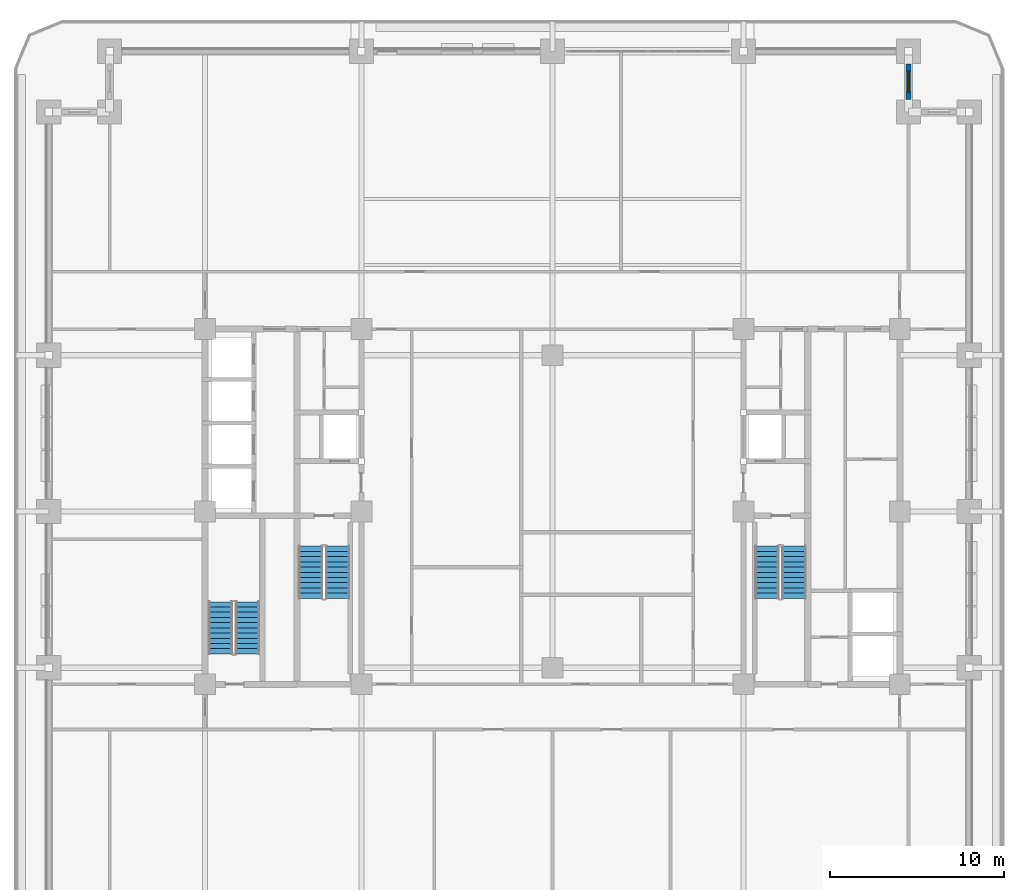
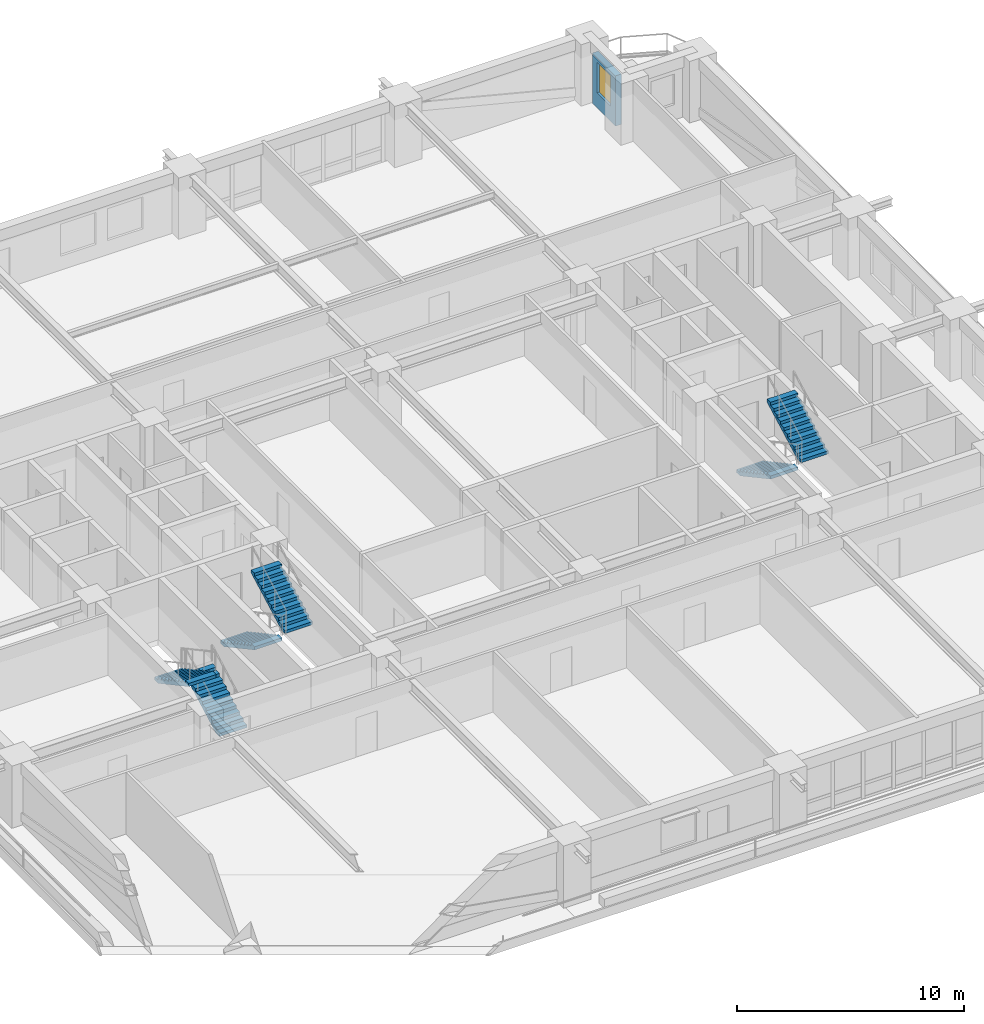
# One storey, part 12 of 20: 6 stair flights, 1 wall, 1 window, 1 opening, 3 elements without a shape of their own.
"""IFC4 building model written with IfcOpenShell, lengths in metres."""

from ifc_helpers import new_model, si_unit, direction, frame, frame_2d, origin, place, context, subcontext, project, spatial, polyline, rectangle, outline, extrude, material, layer, layer_set, type_object, element, fill, aggregate, save


model = new_model("IFC4")

# Units and contexts
model_context = context("Model", 3, precision=1e-05, world=origin(), true_north=direction((0.0, 1.0)))
body_context = subcontext(model_context, "Body", "Model", "MODEL_VIEW")
ifc_project = project(units=[si_unit("LENGTHUNIT", "METRE"), si_unit("AREAUNIT", "SQUARE_METRE"), si_unit("VOLUMEUNIT", "CUBIC_METRE"), si_unit("PLANEANGLEUNIT", "RADIAN"), si_unit("MASSUNIT", "GRAM", prefix="KILO")], contexts=[model_context])

# Site, building, storey
site_placement = place(None, origin())
site = spatial("IfcSite", under=ifc_project, at=site_placement, CompositionType="ELEMENT")
building_placement = place(site_placement, origin())
building = spatial("IfcBuilding", under=site, at=building_placement, Name="Zulmaris Gate Convention Tower", CompositionType="ELEMENT")
storey_placement = place(building_placement, frame((0.0, 0.0, 71.469970703125)))
storey = spatial("IfcBuildingStorey", under=building, at=storey_placement, Name="L17", CompositionType="ELEMENT", Elevation=71.469970703125)

# Wall, opening, window
ifc_material_1 = material(Name="Precast concrete C40/50", Category="concrete")
ifc_layer_1 = layer(ifc_material_1, 0.300048828125, Name="Precast concrete C40/50")
ifc_layer_set_1 = layer_set([ifc_layer_1], Name="Precast concrete C40/50")
wall_type = type_object("IfcWallType", Name="PRECAST-PIER-300", PredefinedType="STANDARD", material=ifc_layer_set_1)
wall_placement = place(storey_placement, frame((20.5, 23.72998046875, 0.0), z_axis=(0.0, 0.0, 1.0), x_axis=(0.0, 1.0, 0.0)))
wall = element("IfcWall", 1, at=wall_placement, inside=storey, type_object=wall_type, Name="EW-L17-NOTCH-NE2_0", PredefinedType="STANDARD", context=body_context, shape_type="SweptSolid", body=[
    extrude(rectangle(XDim=2.0400390625, YDim=0.300048828125, at=frame_2d((1.02001953125, 0.0))), origin(), (0.0, 0.0, 1.0), 2.7119140625),
])
opening_placement = place(wall_placement, frame((0.419921875, 0.0, 0.820068359375)))
opening = element("IfcOpeningElement", 2, at=opening_placement, cuts=wall, Name="Opening W-04", PredefinedType="OPENING", context=body_context, shape_type="SweptSolid", body=[
    extrude(rectangle(XDim=1.199951171875, YDim=1.64990234375, at=frame_2d((0.60009765625, 0.824951171875))), frame((0.0, 0.16015625, 0.0), z_axis=(0.0, -1.0, 0.0), x_axis=(1.0, 0.0, 0.0)), (0.0, 0.0, 1.0), 0.320068359375),
])
ifc_material_2 = material(Name="Low-E Laminated Double Glazing in Aluminium Frame", Category="aluminium")
window_type = type_object("IfcWindowType", Name="WIN-1200x2100", PartitioningType="SINGLE_PANEL", PredefinedType="WINDOW", material=ifc_material_2)
window_placement = place(opening_placement, origin())
window = element("IfcWindow", 3, at=window_placement, inside=storey, type_object=window_type, Name="WN-EW-L17-NOTCH-NE2_0", OverallHeight=1.64990234375, OverallWidth=1.199951171875, PartitioningType="SINGLE_PANEL", PredefinedType="WINDOW", context=body_context, shape_type="SweptSolid", body=[
    extrude(rectangle(XDim=1.199951171875, YDim=1.64990234375, at=frame_2d((0.60009765625, 0.824951171875))), frame((0.0, 0.030029296875, 0.0), z_axis=(0.0, -1.0, 0.0), x_axis=(1.0, 0.0, 0.0)), (0.0, 0.0, 1.0), 0.06005859375),
])
fill(opening, window)

# Stair, stair flights
ifc_material_3 = material(Name="Concrete C45/55", Category="concrete")
stair_type = type_object("IfcStairType", Name="ST-CORE-DOGLEG", PredefinedType="HALF_TURN_STAIR", material=ifc_material_3)
stair_1_placement = place(storey_placement, origin())
stair_1 = element("IfcStair", 4, at=stair_1_placement, inside=storey, type_object=stair_type, Name="L17 Core Exit Stair ST-1", PredefinedType="HALF_TURN_STAIR")
ifc_layer_2 = layer(ifc_material_3, 0.14990234375, Name="Concrete C45/55")
ifc_layer_set_2 = layer_set([ifc_layer_2], Name="Concrete C45/55")
stair_flight_type = type_object("IfcStairFlightType", Name="STF-RC150", PredefinedType="STRAIGHT", material=ifc_layer_set_2)
stair_flight_1_placement = place(storey_placement, frame((-13.919921875, -2.0, 0.0), z_axis=(0.0, 0.0, 1.0), x_axis=(0.0, -1.0, 0.0)))
stair_flight_1 = element("IfcStairFlight", 5, at=stair_flight_1_placement, type_object=stair_flight_type, Name="ST-1 flight 1", NumberOfRisers=11, NumberOfTreads=10, PredefinedType="STRAIGHT", RiserHeight=0.162272727, TreadLength=0.3, context=body_context, shape_type="SweptSolid", body=[
    extrude(outline(polyline([(0.0, 0.0), (0.0, 0.162353515625), (0.300048828125, 0.162353515625), (0.300048828125, 0.324462890625), (0.60009765625, 0.324462890625), (0.60009765625, 0.48681640625), (0.89990234375, 0.48681640625), (0.89990234375, 0.649169921875), (1.199951171875, 0.649169921875), (1.199951171875, 0.811279296875), (1.5, 0.811279296875), (1.5, 0.9736328125), (1.800048828125, 0.9736328125), (1.800048828125, 1.135986328125), (2.10009765625, 1.135986328125), (2.10009765625, 1.298095703125), (2.39990234375, 1.298095703125), (2.39990234375, 1.46044921875), (2.699951171875, 1.46044921875), (2.699951171875, 1.622802734375), (3.0, 1.622802734375), (3.0, 1.784912109375), (3.0, 1.452392578125), (0.315185546875, 0.0), (0.0, 0.0)])), frame((0.0, 0.699951171875, 0.0), z_axis=(0.0, -1.0, 0.0), x_axis=(1.0, 0.0, 0.0)), (0.0, 0.0, 1.0), 1.39990234375),
])
stair_flight_2_placement = place(storey_placement, frame((-12.360107421875, -5.0, 1.784912109375), z_axis=(0.0, 0.0, 1.0), x_axis=(0.0, 1.0, 0.0)))
stair_flight_2 = element("IfcStairFlight", 6, at=stair_flight_2_placement, type_object=stair_flight_type, Name="ST-1 flight 2", NumberOfRisers=11, NumberOfTreads=10, PredefinedType="STRAIGHT", RiserHeight=0.162272727, TreadLength=0.3, context=body_context, shape_type="SweptSolid", body=[
    extrude(outline(polyline([(0.0, 0.0), (0.0, 0.162353515625), (0.300048828125, 0.162353515625), (0.300048828125, 0.324462890625), (0.60009765625, 0.324462890625), (0.60009765625, 0.48681640625), (0.89990234375, 0.48681640625), (0.89990234375, 0.649169921875), (1.199951171875, 0.649169921875), (1.199951171875, 0.811279296875), (1.5, 0.811279296875), (1.5, 0.9736328125), (1.800048828125, 0.9736328125), (1.800048828125, 1.135986328125), (2.10009765625, 1.135986328125), (2.10009765625, 1.298095703125), (2.39990234375, 1.298095703125), (2.39990234375, 1.46044921875), (2.699951171875, 1.46044921875), (2.699951171875, 1.622802734375), (3.0, 1.622802734375), (3.0, 1.784912109375), (3.0, 1.452392578125), (0.315185546875, 0.0), (0.0, 0.0)])), frame((0.0, 0.699951171875, 0.0), z_axis=(0.0, -1.0, 0.0), x_axis=(1.0, 0.0, 0.0)), (0.0, 0.0, 1.0), 1.39990234375),
])
aggregate(stair_1, [stair_flight_1, stair_flight_2])

stair_2_placement = place(storey_placement, origin())
stair_2 = element("IfcStair", 7, at=stair_2_placement, inside=storey, type_object=stair_type, Name="L17 Core Exit Stair ST-2", PredefinedType="HALF_TURN_STAIR")
stair_flight_3_placement = place(storey_placement, frame((12.360107421875, -2.0, 0.0), z_axis=(0.0, 0.0, 1.0), x_axis=(0.0, -1.0, 0.0)))
stair_flight_3 = element("IfcStairFlight", 8, at=stair_flight_3_placement, type_object=stair_flight_type, Name="ST-2 flight 1", NumberOfRisers=11, NumberOfTreads=10, PredefinedType="STRAIGHT", RiserHeight=0.162272727, TreadLength=0.3, context=body_context, shape_type="SweptSolid", body=[
    extrude(outline(polyline([(0.0, 0.0), (0.0, 0.162353515625), (0.300048828125, 0.162353515625), (0.300048828125, 0.324462890625), (0.60009765625, 0.324462890625), (0.60009765625, 0.48681640625), (0.89990234375, 0.48681640625), (0.89990234375, 0.649169921875), (1.199951171875, 0.649169921875), (1.199951171875, 0.811279296875), (1.5, 0.811279296875), (1.5, 0.9736328125), (1.800048828125, 0.9736328125), (1.800048828125, 1.135986328125), (2.10009765625, 1.135986328125), (2.10009765625, 1.298095703125), (2.39990234375, 1.298095703125), (2.39990234375, 1.46044921875), (2.699951171875, 1.46044921875), (2.699951171875, 1.622802734375), (3.0, 1.622802734375), (3.0, 1.784912109375), (3.0, 1.452392578125), (0.315185546875, 0.0), (0.0, 0.0)])), frame((0.0, 0.699951171875, 0.0), z_axis=(0.0, -1.0, 0.0), x_axis=(1.0, 0.0, 0.0)), (0.0, 0.0, 1.0), 1.39990234375),
])
stair_flight_4_placement = place(storey_placement, frame((13.919921875, -5.0, 1.784912109375), z_axis=(0.0, 0.0, 1.0), x_axis=(0.0, 1.0, 0.0)))
stair_flight_4 = element("IfcStairFlight", 9, at=stair_flight_4_placement, type_object=stair_flight_type, Name="ST-2 flight 2", NumberOfRisers=11, NumberOfTreads=10, PredefinedType="STRAIGHT", RiserHeight=0.162272727, TreadLength=0.3, context=body_context, shape_type="SweptSolid", body=[
    extrude(outline(polyline([(0.0, 0.0), (0.0, 0.162353515625), (0.300048828125, 0.162353515625), (0.300048828125, 0.324462890625), (0.60009765625, 0.324462890625), (0.60009765625, 0.48681640625), (0.89990234375, 0.48681640625), (0.89990234375, 0.649169921875), (1.199951171875, 0.649169921875), (1.199951171875, 0.811279296875), (1.5, 0.811279296875), (1.5, 0.9736328125), (1.800048828125, 0.9736328125), (1.800048828125, 1.135986328125), (2.10009765625, 1.135986328125), (2.10009765625, 1.298095703125), (2.39990234375, 1.298095703125), (2.39990234375, 1.46044921875), (2.699951171875, 1.46044921875), (2.699951171875, 1.622802734375), (3.0, 1.622802734375), (3.0, 1.784912109375), (3.0, 1.452392578125), (0.315185546875, 0.0), (0.0, 0.0)])), frame((0.0, 0.699951171875, 0.0), z_axis=(0.0, -1.0, 0.0), x_axis=(1.0, 0.0, 0.0)), (0.0, 0.0, 1.0), 1.39990234375),
])
aggregate(stair_2, [stair_flight_3, stair_flight_4])

stair_3_placement = place(storey_placement, origin())
stair_3 = element("IfcStair", 10, at=stair_3_placement, inside=storey, type_object=stair_type, Name="L17 Core Exit Stair ST-3", PredefinedType="HALF_TURN_STAIR")
stair_flight_5_placement = place(storey_placement, frame((-17.56005859375, -8.199951171875, 0.0), z_axis=(0.0, 0.0, 1.0), x_axis=(0.0, 1.0, 0.0)))
stair_flight_5 = element("IfcStairFlight", 11, at=stair_flight_5_placement, type_object=stair_flight_type, Name="ST-3 flight 1", NumberOfRisers=11, NumberOfTreads=10, PredefinedType="STRAIGHT", RiserHeight=0.162272727, TreadLength=0.3, context=body_context, shape_type="SweptSolid", body=[
    extrude(outline(polyline([(0.0, 0.0), (0.0, 0.162353515625), (0.300048828125, 0.162353515625), (0.300048828125, 0.324462890625), (0.60009765625, 0.324462890625), (0.60009765625, 0.48681640625), (0.89990234375, 0.48681640625), (0.89990234375, 0.649169921875), (1.199951171875, 0.649169921875), (1.199951171875, 0.811279296875), (1.5, 0.811279296875), (1.5, 0.9736328125), (1.800048828125, 0.9736328125), (1.800048828125, 1.135986328125), (2.10009765625, 1.135986328125), (2.10009765625, 1.298095703125), (2.39990234375, 1.298095703125), (2.39990234375, 1.46044921875), (2.699951171875, 1.46044921875), (2.699951171875, 1.622802734375), (3.0, 1.622802734375), (3.0, 1.784912109375), (3.0, 1.452392578125), (0.315185546875, 0.0), (0.0, 0.0)])), frame((0.0, 0.699951171875, 0.0), z_axis=(0.0, -1.0, 0.0), x_axis=(1.0, 0.0, 0.0)), (0.0, 0.0, 1.0), 1.39990234375),
])
stair_flight_6_placement = place(storey_placement, frame((-19.1201171875, -5.199951171875, 1.784912109375), z_axis=(0.0, 0.0, 1.0), x_axis=(0.0, -1.0, 0.0)))
stair_flight_6 = element("IfcStairFlight", 12, at=stair_flight_6_placement, type_object=stair_flight_type, Name="ST-3 flight 2", NumberOfRisers=11, NumberOfTreads=10, PredefinedType="STRAIGHT", RiserHeight=0.162272727, TreadLength=0.3, context=body_context, shape_type="SweptSolid", body=[
    extrude(outline(polyline([(0.0, 0.0), (0.0, 0.162353515625), (0.300048828125, 0.162353515625), (0.300048828125, 0.324462890625), (0.60009765625, 0.324462890625), (0.60009765625, 0.48681640625), (0.89990234375, 0.48681640625), (0.89990234375, 0.649169921875), (1.199951171875, 0.649169921875), (1.199951171875, 0.811279296875), (1.5, 0.811279296875), (1.5, 0.9736328125), (1.800048828125, 0.9736328125), (1.800048828125, 1.135986328125), (2.10009765625, 1.135986328125), (2.10009765625, 1.298095703125), (2.39990234375, 1.298095703125), (2.39990234375, 1.46044921875), (2.699951171875, 1.46044921875), (2.699951171875, 1.622802734375), (3.0, 1.622802734375), (3.0, 1.784912109375), (3.0, 1.452392578125), (0.315185546875, 0.0), (0.0, 0.0)])), frame((0.0, 0.699951171875, 0.0), z_axis=(0.0, -1.0, 0.0), x_axis=(1.0, 0.0, 0.0)), (0.0, 0.0, 1.0), 1.39990234375),
])
aggregate(stair_3, [stair_flight_5, stair_flight_6])

save(model, "model.ifc")
